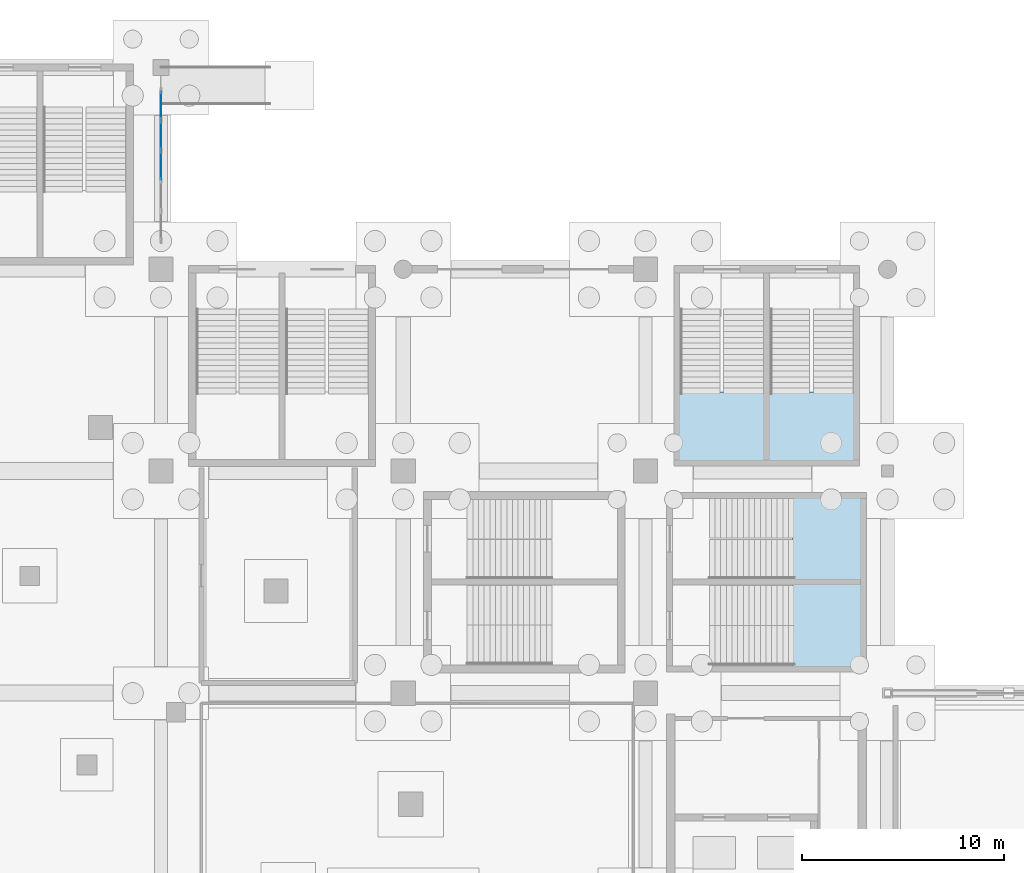
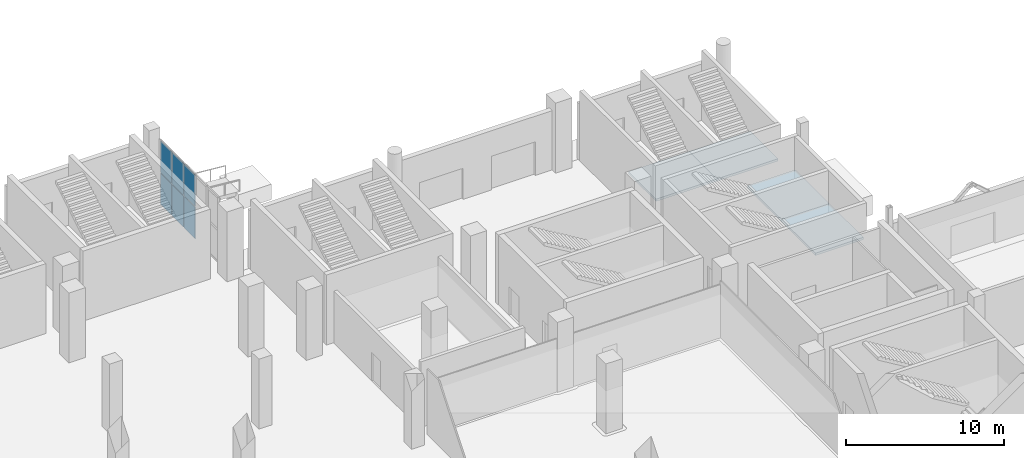
# One storey, part 45 of 70: 6 plates, 4 slabs, 5 elements without a shape of their own.
"""IFC4 building model written with IfcOpenShell, lengths in metres."""

from ifc_helpers import new_model, si_unit, direction, frame, origin, origin_2d, place, context, subcontext, project, spatial, polyline, rectangle, outline, extrude, material, layer, layer_set, type_object, element, aggregate, save


model = new_model("IFC4")

# Units and contexts
model_context = context("Model", 3, precision=1e-05, world=origin(), true_north=direction((0.0, 1.0)))
body_context = subcontext(model_context, "Body", "Model", "MODEL_VIEW")
ifc_project = project(units=[si_unit("LENGTHUNIT", "METRE"), si_unit("AREAUNIT", "SQUARE_METRE"), si_unit("VOLUMEUNIT", "CUBIC_METRE"), si_unit("PLANEANGLEUNIT", "RADIAN"), si_unit("MASSUNIT", "GRAM", prefix="KILO")], contexts=[model_context])

# Site, building, storey
site_placement = place(None, origin())
site = spatial("IfcSite", under=ifc_project, at=site_placement, CompositionType="ELEMENT")
building_placement = place(site_placement, origin())
building = spatial("IfcBuilding", under=site, at=building_placement, Name="Brinegate Civic Arena", CompositionType="ELEMENT")
storey_placement = place(building_placement, origin())
storey = spatial("IfcBuildingStorey", under=building, at=storey_placement, Name="L00", CompositionType="ELEMENT", Elevation=0.0)

# Curtain wall, plates
ifc_material_1 = material(Name="Marine grade aluminium", Category="aluminium")
ifc_layer_1 = layer(ifc_material_1, 0.25, Name="Marine grade aluminium")
ifc_layer_set_1 = layer_set([ifc_layer_1], Name="Marine grade aluminium")
curtain_wall_type = type_object("IfcCurtainWallType", Name="CW-PORTAL-SOUTH-02", PredefinedType="USERDEFINED", material=ifc_layer_set_1)
curtain_wall_placement = place(storey_placement, origin())
curtain_wall = element("IfcCurtainWall", 1, at=curtain_wall_placement, inside=storey, type_object=curtain_wall_type, Name="Curtain Wall CWA-011", ObjectType="PORTAL CURTAIN WALL", PredefinedType="USERDEFINED")
ifc_material_2 = material(Name="Hurricane laminated low-E glass", Category="glass")
ifc_layer_2 = layer(ifc_material_2, 0.0419921875, Name="Hurricane laminated low-E glass")
ifc_layer_set_2 = layer_set([ifc_layer_2], Name="Hurricane laminated low-E glass")
plate_type = type_object("IfcPlateType", Name="CW-PANEL-SPANDREL-42", PredefinedType="CURTAIN_PANEL", material=ifc_layer_set_2)
plate_1_placement = place(storey_placement, frame((132.0, 119.1416015625, 0.074951171875), z_axis=(0.0, 0.0, 1.0), x_axis=(0.0, 1.0, 0.0)))
plate_1 = element("IfcPlate", 2, at=plate_1_placement, type_object=plate_type, Name="CWA-011 panel 3.1", PredefinedType="CURTAIN_PANEL", context=body_context, shape_type="SweptSolid", body=[
    extrude(rectangle(XDim=1.4169921875, YDim=0.0419921875, at=origin_2d()), origin(), (0.0, 0.0, 1.0), 2.41748046875),
])
plate_2_placement = place(storey_placement, frame((132.0, 119.1416015625, 2.567626953125), z_axis=(0.0, 0.0, 1.0), x_axis=(0.0, 1.0, 0.0)))
plate_2 = element("IfcPlate", 3, at=plate_2_placement, type_object=plate_type, Name="CWA-011 panel 3.2", PredefinedType="CURTAIN_PANEL", context=body_context, shape_type="SweptSolid", body=[
    extrude(rectangle(XDim=1.4169921875, YDim=0.0419921875, at=origin_2d()), origin(), (0.0, 0.0, 1.0), 2.41748046875),
])
plate_3_placement = place(storey_placement, frame((132.0, 120.638427734375, 0.074951171875), z_axis=(0.0, 0.0, 1.0), x_axis=(0.0, 1.0, 0.0)))
plate_3 = element("IfcPlate", 4, at=plate_3_placement, type_object=plate_type, Name="CWA-011 panel 4.1", PredefinedType="CURTAIN_PANEL", context=body_context, shape_type="SweptSolid", body=[
    extrude(rectangle(XDim=1.4169921875, YDim=0.0419921875, at=origin_2d()), origin(), (0.0, 0.0, 1.0), 2.41748046875),
])
plate_4_placement = place(storey_placement, frame((132.0, 120.638427734375, 2.567626953125), z_axis=(0.0, 0.0, 1.0), x_axis=(0.0, 1.0, 0.0)))
plate_4 = element("IfcPlate", 5, at=plate_4_placement, type_object=plate_type, Name="CWA-011 panel 4.2", PredefinedType="CURTAIN_PANEL", context=body_context, shape_type="SweptSolid", body=[
    extrude(rectangle(XDim=1.4169921875, YDim=0.0419921875, at=origin_2d()), origin(), (0.0, 0.0, 1.0), 2.41748046875),
])
plate_5_placement = place(storey_placement, frame((132.0, 122.115478515625, 0.074951171875), z_axis=(0.0, 0.0, 1.0), x_axis=(0.0, 1.0, 0.0)))
plate_5 = element("IfcPlate", 6, at=plate_5_placement, type_object=plate_type, Name="CWA-011 panel 5.1", PredefinedType="CURTAIN_PANEL", context=body_context, shape_type="SweptSolid", body=[
    extrude(rectangle(XDim=1.376953125, YDim=0.0419921875, at=origin_2d()), origin(), (0.0, 0.0, 1.0), 2.41748046875),
])
plate_6_placement = place(storey_placement, frame((132.0, 122.115478515625, 2.567626953125), z_axis=(0.0, 0.0, 1.0), x_axis=(0.0, 1.0, 0.0)))
plate_6 = element("IfcPlate", 7, at=plate_6_placement, type_object=plate_type, Name="CWA-011 panel 5.2", PredefinedType="CURTAIN_PANEL", context=body_context, shape_type="SweptSolid", body=[
    extrude(rectangle(XDim=1.376953125, YDim=0.0419921875, at=origin_2d()), origin(), (0.0, 0.0, 1.0), 2.41748046875),
])
aggregate(curtain_wall, [plate_1, plate_2, plate_3, plate_4, plate_5, plate_6])

# Stair, slab
ifc_material_3 = material(Name="Concrete C40/50", Category="concrete")
stair_type_1 = type_object("IfcStairType", Name="STAIR-EXIT-3850", PredefinedType="HALF_TURN_STAIR", material=ifc_material_3)
stair_1_placement = place(storey_placement, origin())
stair_1 = element("IfcStair", 8, at=stair_1_placement, inside=storey, type_object=stair_type_1, Name="Protected Exit Stair ST-05A (L00)", PredefinedType="HALF_TURN_STAIR")
ifc_layer_3 = layer(ifc_material_3, 0.179931640625, Name="Concrete C40/50")
ifc_layer_set_3 = layer_set([ifc_layer_3], Name="Concrete C40/50")
slab_type = type_object("IfcSlabType", Name="SLAB-LANDING-180", PredefinedType="LANDING", material=ifc_layer_set_3)
slab_1_placement = place(storey_placement, frame((0.0, 0.0, 2.52001953125)))
slab_1 = element("IfcSlab", 9, at=slab_1_placement, type_object=slab_type, Name="ST-05A landing 1", PredefinedType="LANDING", context=body_context, shape_type="SweptSolid", body=[
    extrude(outline(polyline([(157.544921875, 104.39990234375), (162.0048828125, 104.39990234375), (162.0048828125, 107.909912109375), (157.544921875, 107.909912109375), (157.544921875, 104.39990234375)])), origin(), (0.0, 0.0, 1.0), 0.179931640625),
])
aggregate(stair_1, [slab_1])

stair_type_2 = type_object("IfcStairType", Name="STAIR-EXIT-3700", PredefinedType="HALF_TURN_STAIR", material=ifc_material_3)
stair_2_placement = place(storey_placement, origin())
stair_2 = element("IfcStair", 10, at=stair_2_placement, inside=storey, type_object=stair_type_2, Name="Protected Exit Stair ST-05B (L00)", PredefinedType="HALF_TURN_STAIR")
slab_2_placement = place(storey_placement, frame((0.0, 0.0, 2.52001953125)))
slab_2 = element("IfcSlab", 11, at=slab_2_placement, type_object=slab_type, Name="ST-05B landing 1", PredefinedType="LANDING", context=body_context, shape_type="SweptSolid", body=[
    extrude(outline(polyline([(161.9951171875, 104.39990234375), (166.455078125, 104.39990234375), (166.455078125, 107.909912109375), (161.9951171875, 107.909912109375), (161.9951171875, 104.39990234375)])), origin(), (0.0, 0.0, 1.0), 0.179931640625),
])
aggregate(stair_2, [slab_2])

stair_3_placement = place(storey_placement, origin())
stair_3 = element("IfcStair", 12, at=stair_3_placement, inside=storey, type_object=stair_type_1, Name="Protected Exit Stair ST-20A (L00)", PredefinedType="HALF_TURN_STAIR")
slab_3_placement = place(storey_placement, frame((0.0, 0.0, 2.52001953125)))
slab_3 = element("IfcSlab", 13, at=slab_3_placement, type_object=slab_type, Name="ST-20A landing 1", PredefinedType="LANDING", context=body_context, shape_type="SweptSolid", body=[
    extrude(outline(polyline([(163.2900390625, 94.195068359375), (166.800048828125, 94.195068359375), (166.800048828125, 98.5048828125), (163.2900390625, 98.5048828125), (163.2900390625, 94.195068359375)])), origin(), (0.0, 0.0, 1.0), 0.179931640625),
])
aggregate(stair_3, [slab_3])

stair_4_placement = place(storey_placement, origin())
stair_4 = element("IfcStair", 14, at=stair_4_placement, inside=storey, type_object=stair_type_2, Name="Protected Exit Stair ST-20B (L00)", PredefinedType="HALF_TURN_STAIR")
slab_4_placement = place(storey_placement, frame((0.0, 0.0, 2.52001953125)))
slab_4 = element("IfcSlab", 15, at=slab_4_placement, type_object=slab_type, Name="ST-20B landing 1", PredefinedType="LANDING", context=body_context, shape_type="SweptSolid", body=[
    extrude(outline(polyline([(163.2900390625, 98.4951171875), (166.800048828125, 98.4951171875), (166.800048828125, 102.804931640625), (163.2900390625, 102.804931640625), (163.2900390625, 98.4951171875)])), origin(), (0.0, 0.0, 1.0), 0.179931640625),
])
aggregate(stair_4, [slab_4])

save(model, "model.ifc")
